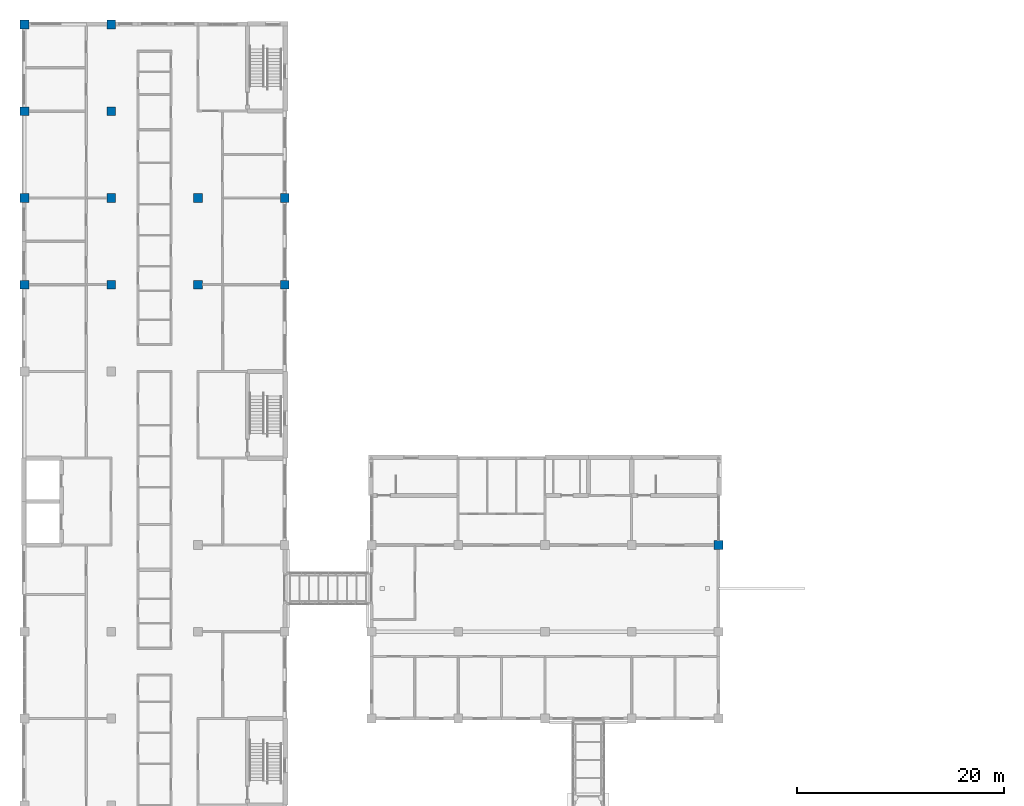
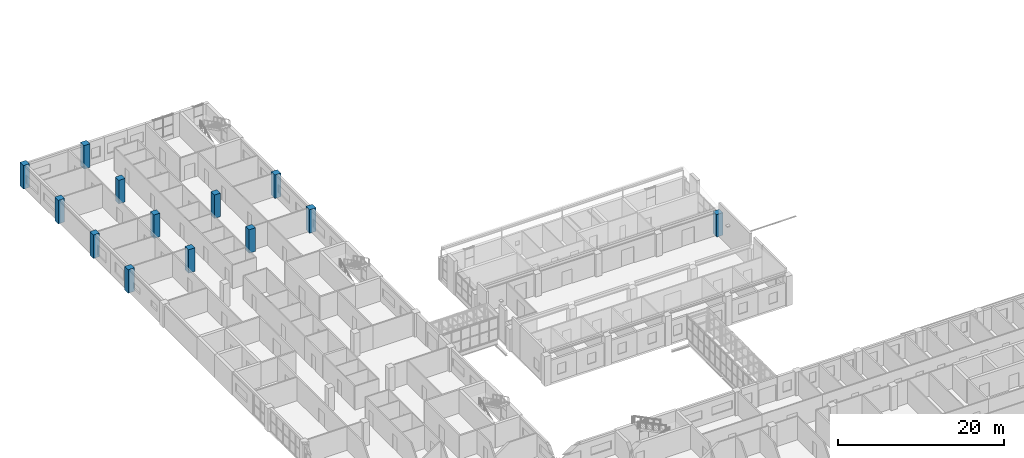
# One storey, part 10 of 94: 13 columns.
"""IFC4 building model written with IfcOpenShell, lengths in metres."""

import ifcopenshell
import ifcopenshell.guid

model = None  # the IFC model being written
_history = None  # IfcOwnerHistory: only IFC2X3 demands one
_inside = {}  # id of a spatial element -> (the spatial element, [elements in it])
_under = {}  # id of a project, library or spatial element -> (it, [spatial elements below it])
_declared = {}  # id of a project -> (the project, [libraries it declares])
_typed = {}  # id of a type object -> (the type object, [elements of that type])
_made_of = {}  # id of a material, layer set ... -> (it, [elements and type objects made of it])


def new_model(schema):
    """Start an empty IFC model of exactly this schema.

    Asked for "IFC4X3", IfcOpenShell would pick the latest addendum, in which some entities
    have other attributes; the version numbers below select the first issue.
    IFC2X3 requires an IfcOwnerHistory on every rooted entity: one is made here for all.
    """
    global model, _history
    if schema == "IFC4X3":
        model = ifcopenshell.file(schema_version=(4, 3, 0, 0))
    else:
        model = ifcopenshell.file(schema=schema)
    _inside.clear()
    _under.clear()
    _declared.clear()
    _typed.clear()
    _made_of.clear()
    _history = None
    if model.schema == "IFC2X3":
        org = make("IfcOrganization", Name="unknown")
        user = make(
            "IfcPersonAndOrganization",
            ThePerson=make("IfcPerson", FamilyName="unknown"),
            TheOrganization=org,
        )
        app = make(
            "IfcApplication",
            ApplicationDeveloper=org,
            Version="unknown",
            ApplicationFullName="unknown",
            ApplicationIdentifier="unknown",
        )
        _history = make(
            "IfcOwnerHistory",
            OwningUser=user,
            OwningApplication=app,
            ChangeAction="ADDED",
            CreationDate=0,
        )
    return model


def make(cls, **values):
    """One entity of the class cls with the attributes given. An attribute that is None is left unset."""
    return model.create_entity(
        cls, **{name: value for name, value in values.items() if value is not None}
    )


def rooted(cls, **values):
    """An entity with a GlobalId (a new one), such as an element, a storey or a relation."""
    return make(cls, GlobalId=ifcopenshell.guid.new(), OwnerHistory=_history, **values)


def si_unit(unit_type, name, prefix=None):
    """IfcSIUnit, for example si_unit("LENGTHUNIT", "METRE", prefix="MILLI")."""
    return make("IfcSIUnit", UnitType=unit_type, Prefix=prefix, Name=name)


def assignment(units):
    """IfcUnitAssignment: the units of a project."""
    return None if units is None else make("IfcUnitAssignment", Units=units)


def point(xyz):
    """IfcCartesianPoint."""
    return None if xyz is None else make("IfcCartesianPoint", Coordinates=xyz)


def direction(xyz):
    """IfcDirection."""
    return None if xyz is None else make("IfcDirection", DirectionRatios=xyz)


def frame(location, z_axis=None, x_axis=None):
    """IfcAxis2Placement3D, a coordinate frame: its origin and axes. An axis left out is left unset."""
    return make(
        "IfcAxis2Placement3D",
        Location=point(location),
        Axis=direction(z_axis),
        RefDirection=direction(x_axis),
    )


def frame_2d(location, x_axis=None):
    """IfcAxis2Placement2D, a coordinate frame in the plane: its origin and x axis."""
    return make(
        "IfcAxis2Placement2D", Location=point(location), RefDirection=direction(x_axis)
    )


def origin():
    """The frame at (0, 0, 0) with its axes left unset."""
    return frame((0.0, 0.0, 0.0))


def origin_2d():
    """The frame at (0, 0) in the plane with its x axis left unset."""
    return frame_2d((0.0, 0.0))


def place(relative_to, where):
    """IfcLocalPlacement: puts the frame where relative to a parent placement (None: the world)."""
    return make(
        "IfcLocalPlacement", PlacementRelTo=relative_to, RelativePlacement=where
    )


def context(
    kind, dimensions, precision=None, world=None, true_north=None, identifier=None
):
    """IfcGeometricRepresentationContext, for example the 3D "Model" context."""
    return make(
        "IfcGeometricRepresentationContext",
        ContextIdentifier=identifier,
        ContextType=kind,
        CoordinateSpaceDimension=dimensions,
        Precision=precision,
        WorldCoordinateSystem=world,
        TrueNorth=true_north,
    )


def subcontext(parent, identifier, kind, view, scale=None):
    """IfcGeometricRepresentationSubContext, for example "Body" below "Model"."""
    return make(
        "IfcGeometricRepresentationSubContext",
        ContextIdentifier=identifier,
        ContextType=kind,
        ParentContext=parent,
        TargetScale=scale,
        TargetView=view,
    )


def project(units=None, contexts=None):
    """IfcProject with its units and contexts."""
    return rooted(
        "IfcProject",
        Name="project",
        RepresentationContexts=contexts,
        UnitsInContext=assignment(units),
    )


def spatial(cls, under=None, at=None, **own):
    """A site, building, storey or space (cls), placed at a placement, below another one or the project."""
    s = rooted(cls, ObjectPlacement=at, **own)
    if under is not None:
        _under.setdefault(under.id(), (under, []))[1].append(s)
    return s


def profile(cls, at=None, kind="AREA", **sizes):
    """A parametric profile (cls). Its sizes go by their IFC names, for example OverallWidth=200.0."""
    return make(cls, ProfileType=kind, Position=at, **sizes)


def rectangle(**sizes):
    """IfcRectangleProfileDef."""
    return profile("IfcRectangleProfileDef", **sizes)


def extrude(swept, where, along, depth):
    """IfcExtrudedAreaSolid: the profile swept, set in the frame where, extruded along a direction by depth."""
    return make(
        "IfcExtrudedAreaSolid",
        SweptArea=swept,
        Position=where,
        ExtrudedDirection=direction(along),
        Depth=depth,
    )


def shape(context_of_items, identifier, shape_type, items):
    """IfcShapeRepresentation: the items that make up one representation, for example the "Body"."""
    return make(
        "IfcShapeRepresentation",
        ContextOfItems=context_of_items,
        RepresentationIdentifier=identifier,
        RepresentationType=shape_type,
        Items=items,
    )


def material(Name=None, Category=None):
    """IfcMaterial."""
    return make("IfcMaterial", Name=Name, Category=Category)


def material_profile(
    of_material, cross_section, Name=None, Category=None, Priority=None
):
    """IfcMaterialProfile: a cross section and its material."""
    return make(
        "IfcMaterialProfile",
        Name=Name,
        Material=of_material,
        Profile=cross_section,
        Priority=Priority,
        Category=Category,
    )


def profile_set(profiles, Name=None, composite=None):
    """IfcMaterialProfileSet."""
    return make(
        "IfcMaterialProfileSet",
        Name=Name,
        MaterialProfiles=profiles,
        CompositeProfile=composite,
    )


def made_of(thing, what):
    """Note that an element or type object is made of a material, layer set ...; save() writes the relation."""
    if what is not None:
        _made_of.setdefault(what.id(), (what, []))[1].append(thing)
    return thing


def type_object(cls, material=None, **own):
    """A type object (cls), such as IfcWallType, which elements share."""
    return made_of(rooted(cls, **own), material)


def element(
    cls,
    number,
    at=None,
    inside=None,
    cuts=None,
    type_object=None,
    material=None,
    context=None,
    identifier="Body",
    shape_type=None,
    held_by="IfcProductDefinitionShape",
    body=None,
    shapes=None,
    **own,
):
    """One element of the class cls, such as IfcWall. Its Tag is "e" and its number.

    at: its placement. inside: the storey or other place that contains it. cuts: it is an
    opening in that element (IfcRelVoidsElement). A single representation is given by context,
    identifier, shape_type and body (its items); several are given by shapes. held_by: the class
    of the entity that holds the representations. save() writes the other relations.
    """
    e = rooted(cls, Tag="e%d" % number, ObjectPlacement=at, **own)
    if body is not None:
        shapes = [shape(context, identifier, shape_type, body)]
    if shapes is not None:
        e.Representation = make(held_by, Representations=shapes)
    if inside is not None:
        _inside.setdefault(inside.id(), (inside, []))[1].append(e)
    if cuts is not None:
        rooted(
            "IfcRelVoidsElement", RelatingBuildingElement=cuts, RelatedOpeningElement=e
        )
    if type_object is not None:
        _typed.setdefault(type_object.id(), (type_object, []))[1].append(e)
    return made_of(e, material)


def aggregate(whole, parts):
    """IfcRelAggregates: a whole, such as a stair, and the parts it consists of."""
    return rooted("IfcRelAggregates", RelatingObject=whole, RelatedObjects=parts)


def save(model, path):
    """Write the relations noted so far, then the file.

    IfcRelAggregates (storeys below a building ...), IfcRelContainedInSpatialStructure (elements
    in a storey), IfcRelDefinesByType, IfcRelAssociatesMaterial and IfcRelDeclares: one each for
    every whole, place, type object, material and project.
    """
    for whole, parts in _under.values():
        aggregate(whole, parts)
    for where, things in _inside.values():
        rooted(
            "IfcRelContainedInSpatialStructure",
            RelatedElements=things,
            RelatingStructure=where,
        )
    for kind, things in _typed.values():
        rooted("IfcRelDefinesByType", RelatedObjects=things, RelatingType=kind)
    for what, things in _made_of.values():
        rooted("IfcRelAssociatesMaterial", RelatedObjects=things, RelatingMaterial=what)
    for by, libraries in _declared.values():
        rooted("IfcRelDeclares", RelatingContext=by, RelatedDefinitions=libraries)
    model.write(path)


model = new_model("IFC4")

# Units and contexts
model_context = context("Model", 3, precision=1e-05, world=origin(), true_north=direction((0.0, 1.0)))
body_context = subcontext(model_context, "Body", "Model", "MODEL_VIEW")
ifc_project = project(units=[si_unit("LENGTHUNIT", "METRE"), si_unit("AREAUNIT", "SQUARE_METRE"), si_unit("VOLUMEUNIT", "CUBIC_METRE"), si_unit("PLANEANGLEUNIT", "RADIAN"), si_unit("MASSUNIT", "GRAM", prefix="KILO")], contexts=[model_context])

# Site, building, storey
site_placement = place(None, origin())
site = spatial("IfcSite", under=ifc_project, at=site_placement, CompositionType="ELEMENT")
building_placement = place(site_placement, origin())
building = spatial("IfcBuilding", under=site, at=building_placement, Name="Yavir Park General Hospital", CompositionType="ELEMENT")
storey_placement = place(building_placement, frame((0.0, 0.0, 4.5)))
storey = spatial("IfcBuildingStorey", under=building, at=storey_placement, Name="L01", CompositionType="ELEMENT", Elevation=4.5)

# Columns
ifc_material = material(Name="Concrete C40/50", Category="concrete")
ifc_material_profile = material_profile(ifc_material, rectangle(XDim=0.85009765625, YDim=0.85009765625, at=origin_2d()), Name="RC850x850")
ifc_profile_set = profile_set([ifc_material_profile], Name="Concrete C40/50")
column_type = type_object("IfcColumnType", Name="RC COLUMN 850x850", PredefinedType="COLUMN", material=ifc_profile_set)
column_placement = place(storey_placement, frame((67.199951171875, 67.199951171875, 0.0), z_axis=(0.0, 0.0, 1.0), x_axis=(1.0, 0.0, 0.0)))
element("IfcColumn", 1, at=column_placement, inside=storey, type_object=column_type, Name="C:L01:9J", PredefinedType="COLUMN", context=body_context, shape_type="SweptSolid", body=[
    extrude(rectangle(XDim=0.85009765625, YDim=0.85009765625, at=origin_2d()), origin(), (0.0, 0.0, 1.0), 3.300048828125),
])
for number, where, z_axis, x_axis, name in (
    (2, (0.0, 92.39990234375, 0.0), (0.0, 0.0, 1.0), (1.0, 0.0, 0.0), "C:L01:1M"),
    (3, (8.39990234375, 92.39990234375, 0.0), (0.0, 0.0, 1.0), (1.0, 0.0, 0.0), "C:L01:2M"),
    (4, (16.800048828125, 92.39990234375, 0.0), (0.0, 0.0, 1.0), (1.0, 0.0, 0.0), "C:L01:3M"),
    (5, (25.199951171875, 92.39990234375, 0.0), (0.0, 0.0, 1.0), (1.0, 0.0, 0.0), "C:L01:4M"),
    (6, (0.0, 100.800048828125, 0.0), (0.0, 0.0, 1.0), (1.0, 0.0, 0.0), "C:L01:1N"),
    (7, (8.39990234375, 100.800048828125, 0.0), (0.0, 0.0, 1.0), (1.0, 0.0, 0.0), "C:L01:2N"),
    (8, (16.800048828125, 100.800048828125, 0.0), (0.0, 0.0, 1.0), (1.0, 0.0, 0.0), "C:L01:3N"),
    (9, (25.199951171875, 100.800048828125, 0.0), (0.0, 0.0, 1.0), (1.0, 0.0, 0.0), "C:L01:4N"),
    (10, (0.0, 109.199951171875, 0.0), (0.0, 0.0, 1.0), (1.0, 0.0, 0.0), "C:L01:1P"),
    (11, (8.39990234375, 109.199951171875, 0.0), (0.0, 0.0, 1.0), (1.0, 0.0, 0.0), "C:L01:2P"),
    (12, (0.0, 117.60009765625, 0.0), (0.0, 0.0, 1.0), (1.0, 0.0, 0.0), "C:L01:1Q"),
    (13, (8.39990234375, 117.60009765625, 0.0), (0.0, 0.0, 1.0), (1.0, 0.0, 0.0), "C:L01:2Q"),
):
    element("IfcColumn", number, at=place(storey_placement, frame(where, z_axis=z_axis, x_axis=x_axis)), inside=storey, type_object=column_type, Name=name, PredefinedType="COLUMN", context=body_context, shape_type="SweptSolid", body=[
        extrude(rectangle(XDim=0.85009765625, YDim=0.85009765625, at=origin_2d()), origin(), (0.0, 0.0, 1.0), 3.449951171875),
    ])

save(model, "model.ifc")
